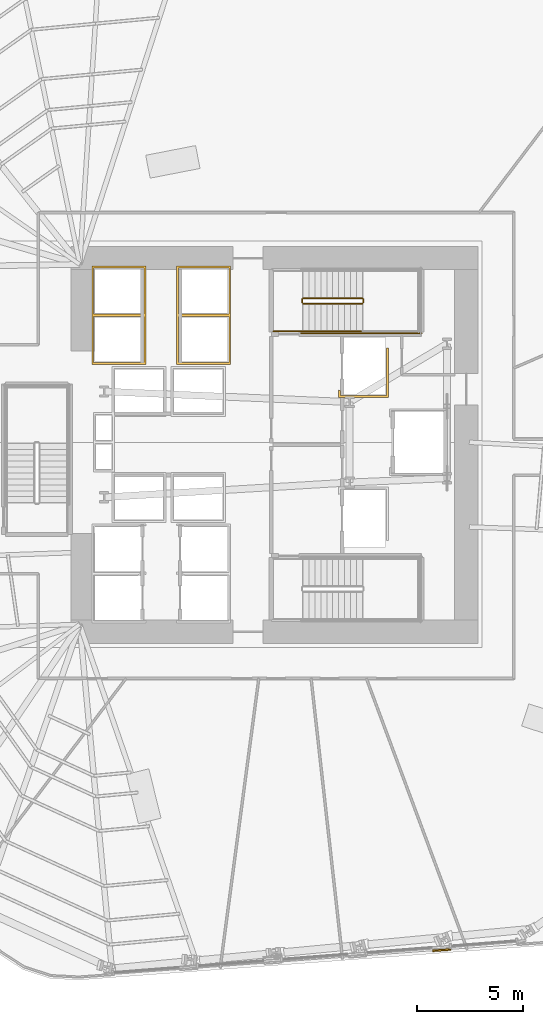
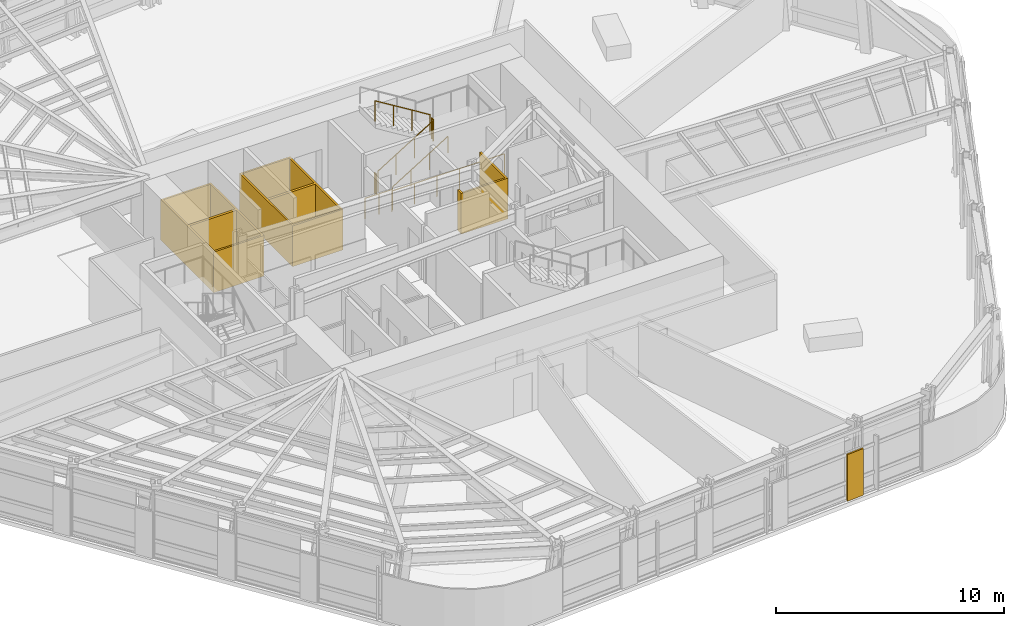
# One storey, part 12 of 15: 7 railings, 4 coverings.
"""IFC4 building model written with IfcOpenShell, lengths in metres."""

from ifc_helpers import new_model, si_unit, direction, frame, origin, origin_2d, place, context, subcontext, project, spatial, polyline, circle, outline, extrude, material, layer, layer_set, type_object, element, save


model = new_model("IFC4")

# Units and contexts
model_context = context("Model", 3, precision=1e-05, world=origin(), true_north=direction((0.0, 1.0)))
body_context = subcontext(model_context, "Body", "Model", "MODEL_VIEW")
ifc_project = project(units=[si_unit("LENGTHUNIT", "METRE"), si_unit("AREAUNIT", "SQUARE_METRE"), si_unit("VOLUMEUNIT", "CUBIC_METRE"), si_unit("PLANEANGLEUNIT", "RADIAN"), si_unit("MASSUNIT", "GRAM", prefix="KILO")], contexts=[model_context])

# Site, building, storey
site_placement = place(None, origin())
site = spatial("IfcSite", under=ifc_project, at=site_placement, CompositionType="ELEMENT")
building_placement = place(site_placement, origin())
building = spatial("IfcBuilding", under=site, at=building_placement, Name="Valkerne Bourse Tower", CompositionType="ELEMENT")
storey_placement = place(building_placement, frame((0.0, 0.0, 43.0)))
storey = spatial("IfcBuildingStorey", under=building, at=storey_placement, Name="L10", CompositionType="ELEMENT", Elevation=43.0)

# Coverings
ifc_material_1 = material(Name="Bronze Anodised Aluminium AA 6063-T6", Category="aluminium")
ifc_layer_1 = layer(ifc_material_1, 0.06005859375)
ifc_layer_set_1 = layer_set([ifc_layer_1], Name="Bronze Anodised Aluminium AA 6063-T6")
covering_type_1 = type_object("IfcCoveringType", Name="COV-CRN-ALUM", PredefinedType="CLADDING", material=ifc_layer_set_1)
covering_1_placement = place(storey_placement, origin())
element("IfcCovering", 1, at=covering_1_placement, inside=storey, type_object=covering_type_1, Name="L10 Wind-Shaped Corner Aluminium Cladding 02", PredefinedType="CLADDING", context=body_context, shape_type="SweptSolid", body=[
    extrude(outline(polyline([(54.28466796875, 2.9423828125), (54.2783203125, 3.022216796875), (55.1162109375, 3.08447265625), (55.122314453125, 3.004638671875), (54.28466796875, 2.9423828125)])), origin(), (0.0, 0.0, 1.0), 2.5),
])
ifc_material_2 = material(Name="Gypsum Shaftwall Liner Board", Category="gypsum")
ifc_layer_2 = layer(ifc_material_2, 0.080078125)
ifc_layer_set_2 = layer_set([ifc_layer_2], Name="Gypsum Shaftwall Liner Board")
covering_type_2 = type_object("IfcCoveringType", Name="COV-SHF-CLAD", PredefinedType="CLADDING", material=ifc_layer_set_2)
covering_2_placement = place(storey_placement, origin())
element("IfcCovering", 2, at=covering_2_placement, inside=storey, type_object=covering_type_2, Name="L10 Hoistway & Riser Shaftwall Liner 05", PredefinedType="CLADDING", context=body_context, shape_type="SweptSolid", body=[
    extrude(outline(polyline([(38.169921875, 35.330078125), (40.72998046875, 35.330078125), (40.72998046875, 33.030029296875), (40.72998046875, 32.969970703125), (40.72998046875, 30.669921875), (38.169921875, 30.669921875), (38.169921875, 32.969970703125), (38.169921875, 33.030029296875), (38.169921875, 35.330078125)]), holes=[polyline([(38.260009765625, 32.93994140625), (38.260009765625, 30.760009765625), (40.639892578125, 30.760009765625), (40.639892578125, 32.93994140625), (38.260009765625, 32.93994140625)]), polyline([(38.260009765625, 35.239990234375), (38.260009765625, 33.06005859375), (40.639892578125, 33.06005859375), (40.639892578125, 35.239990234375), (38.260009765625, 35.239990234375)])]), origin(), (0.0, 0.0, 1.0), 2.179931640625),
])
covering_3_placement = place(storey_placement, origin())
element("IfcCovering", 3, at=covering_3_placement, inside=storey, type_object=covering_type_2, Name="L10 Hoistway & Riser Shaftwall Liner 10", PredefinedType="CLADDING", context=body_context, shape_type="SweptSolid", body=[
    extrude(outline(polyline([(49.820068359375, 29.1201171875), (49.820068359375, 29.468017578125), (49.827880859375, 29.46435546875), (49.869384765625, 29.449462890625), (49.909912109375, 29.439208984375), (49.909912109375, 29.2099609375), (52.090087890625, 29.2099609375), (52.090087890625, 31.449951171875), (52.179931640625, 31.449951171875), (52.179931640625, 29.1201171875), (49.820068359375, 29.1201171875)])), origin(), (0.0, 0.0, 1.0), 2.179931640625),
])
covering_4_placement = place(storey_placement, origin())
element("IfcCovering", 4, at=covering_4_placement, inside=storey, type_object=covering_type_2, Name="L10 Hoistway & Riser Shaftwall Liner 11", PredefinedType="CLADDING", context=body_context, shape_type="SweptSolid", body=[
    extrude(outline(polyline([(44.72998046875, 35.330078125), (44.72998046875, 33.030029296875), (44.72998046875, 32.969970703125), (44.72998046875, 30.669921875), (42.169921875, 30.669921875), (42.169921875, 32.969970703125), (42.169921875, 33.030029296875), (42.169921875, 35.330078125), (44.72998046875, 35.330078125)]), holes=[polyline([(42.260009765625, 30.760009765625), (44.639892578125, 30.760009765625), (44.639892578125, 32.93994140625), (42.260009765625, 32.93994140625), (42.260009765625, 30.760009765625)]), polyline([(42.260009765625, 33.06005859375), (44.639892578125, 33.06005859375), (44.639892578125, 35.239990234375), (42.260009765625, 35.239990234375), (42.260009765625, 33.06005859375)])]), origin(), (0.0, 0.0, 1.0), 2.179931640625),
])

# Railings
ifc_material_3 = material(Name="Galvanised Painted Steel", Category="steel")
railing_type_1 = type_object("IfcRailingType", Name="RLG-ST-GUARD-1120", PredefinedType="GUARDRAIL", material=ifc_material_3)
railing_1_placement = place(storey_placement, frame((48.14990234375, 33.550048828125, 0.172607421875)))
element("IfcRailing", 5, at=railing_1_placement, inside=storey, type_object=railing_type_1, Name="L10 ST-2 stair guard 1", PredefinedType="GUARDRAIL", context=body_context, shape_type="SweptSolid", body=[
    extrude(circle(Radius=0.02392578125, at=origin_2d()), frame((0.0, 0.0, 1.09619140625), z_axis=(0.851089632645, 0.0, 0.525020415988), x_axis=(0.0, 1.0, 0.0)), (0.0, 0.0, 1.0), 3.2900390625),
    extrude(circle(Radius=0.02099609375, at=origin_2d()), origin(), (0.0, 0.0, 1.0), 1.072021484375),
    extrude(circle(Radius=0.02099609375, at=origin_2d()), frame((0.933349609375, 0.0, 0.57568359375)), (0.0, 0.0, 1.0), 1.072021484375),
    extrude(circle(Radius=0.02099609375, at=origin_2d()), frame((1.86669921875, 0.0, 1.151611328125)), (0.0, 0.0, 1.0), 1.072021484375),
    extrude(circle(Radius=0.02099609375, at=origin_2d()), frame((2.800048828125, 0.0, 1.727294921875)), (0.0, 0.0, 1.0), 1.072021484375),
])
railing_2_placement = place(storey_placement, frame((51.0, 33.60009765625, 1.89990234375)))
element("IfcRailing", 6, at=railing_2_placement, inside=storey, type_object=railing_type_1, Name="L10 ST-2 stair guard 2", PredefinedType="GUARDRAIL", context=body_context, shape_type="SweptSolid", body=[
    extrude(circle(Radius=0.02392578125, at=origin_2d()), frame((0.0, 0.0, 1.09619140625), z_axis=(0.0, 1.0, 0.0), x_axis=(-1.0, 0.0, 0.0)), (0.0, 0.0, 1.0), 0.14990234375),
    extrude(circle(Radius=0.02099609375, at=origin_2d()), origin(), (0.0, 0.0, 1.0), 1.072021484375),
    extrude(circle(Radius=0.02099609375, at=origin_2d()), frame((0.0, 0.14990234375, 0.0)), (0.0, 0.0, 1.0), 1.072021484375),
])
railing_3_placement = place(storey_placement, frame((50.949951171875, 33.800048828125, 2.07275390625)))
element("IfcRailing", 7, at=railing_3_placement, inside=storey, type_object=railing_type_1, Name="L10 ST-2 stair guard 6", PredefinedType="GUARDRAIL", context=body_context, shape_type="SweptSolid", body=[
    extrude(circle(Radius=0.02392578125, at=origin_2d()), frame((0.0, 0.0, 1.09619140625), z_axis=(-0.851089632645, 0.0, 0.525020415988), x_axis=(0.0, -1.0, 0.0)), (0.0, 0.0, 1.0), 3.2900390625),
    extrude(circle(Radius=0.02099609375, at=origin_2d()), origin(), (0.0, 0.0, 1.0), 1.072021484375),
    extrude(circle(Radius=0.02099609375, at=origin_2d()), frame((-0.933349609375, 0.0, 0.57568359375)), (0.0, 0.0, 1.0), 1.072021484375),
    extrude(circle(Radius=0.02099609375, at=origin_2d()), frame((-1.86669921875, 0.0, 1.151611328125)), (0.0, 0.0, 1.0), 1.072021484375),
    extrude(circle(Radius=0.02099609375, at=origin_2d()), frame((-2.800048828125, 0.0, 1.727294921875)), (0.0, 0.0, 1.0), 1.072021484375),
])
railing_4_placement = place(storey_placement, frame((48.10009765625, 33.60009765625, 0.0)))
element("IfcRailing", 8, at=railing_4_placement, inside=storey, type_object=railing_type_1, Name="L10 ST-2 stair guard 7", PredefinedType="GUARDRAIL", context=body_context, shape_type="SweptSolid", body=[
    extrude(circle(Radius=0.02392578125, at=origin_2d()), frame((0.0, 0.0, 1.09619140625), z_axis=(0.0, 1.0, 0.0), x_axis=(-1.0, 0.0, 0.0)), (0.0, 0.0, 1.0), 0.14990234375),
    extrude(circle(Radius=0.02099609375, at=origin_2d()), origin(), (0.0, 0.0, 1.0), 1.072021484375),
    extrude(circle(Radius=0.02099609375, at=origin_2d()), frame((0.0, 0.14990234375, 0.0)), (0.0, 0.0, 1.0), 1.072021484375),
])
railing_5_placement = place(storey_placement, frame((46.75, 32.25, 0.0)))
element("IfcRailing", 9, at=railing_5_placement, inside=storey, type_object=railing_type_1, Name="L10 ST-2 stair guard 8", PredefinedType="GUARDRAIL", context=body_context, shape_type="SweptSolid", body=[
    extrude(circle(Radius=0.02392578125, at=origin_2d()), frame((0.0, 0.0, 1.09619140625), z_axis=(1.0, 0.0, 0.0), x_axis=(0.0, 1.0, 0.0)), (0.0, 0.0, 1.0), 1.39990234375),
    extrude(circle(Radius=0.02099609375, at=origin_2d()), origin(), (0.0, 0.0, 1.0), 1.072021484375),
    extrude(circle(Radius=0.02099609375, at=origin_2d()), frame((0.699951171875, 0.0, 0.0)), (0.0, 0.0, 1.0), 1.072021484375),
    extrude(circle(Radius=0.02099609375, at=origin_2d()), frame((1.39990234375, 0.0, 0.0)), (0.0, 0.0, 1.0), 1.072021484375),
])
railing_6_placement = place(storey_placement, frame((48.050048828125, 32.14990234375, 0.0)))
element("IfcRailing", 10, at=railing_6_placement, inside=storey, type_object=railing_type_1, Name="L10 ST-2 stair guard 10", PredefinedType="GUARDRAIL", context=body_context, shape_type="SweptSolid", body=[
    extrude(circle(Radius=0.02392578125, at=origin_2d()), frame((0.0, 0.0, 1.09619140625), z_axis=(1.0, 0.0, 0.0), x_axis=(0.0, 1.0, 0.0)), (0.0, 0.0, 1.0), 5.699951171875),
    extrude(circle(Radius=0.02099609375, at=origin_2d()), origin(), (0.0, 0.0, 1.0), 1.072021484375),
    extrude(circle(Radius=0.02099609375, at=origin_2d()), frame((1.139892578125, 0.0, 0.0)), (0.0, 0.0, 1.0), 1.072021484375),
    extrude(circle(Radius=0.02099609375, at=origin_2d()), frame((2.280029296875, 0.0, 0.0)), (0.0, 0.0, 1.0), 1.072021484375),
    extrude(circle(Radius=0.02099609375, at=origin_2d()), frame((3.419921875, 0.0, 0.0)), (0.0, 0.0, 1.0), 1.072021484375),
    extrude(circle(Radius=0.02099609375, at=origin_2d()), frame((4.56005859375, 0.0, 0.0)), (0.0, 0.0, 1.0), 1.072021484375),
    extrude(circle(Radius=0.02099609375, at=origin_2d()), frame((5.699951171875, 0.0, 0.0)), (0.0, 0.0, 1.0), 1.072021484375),
])
ifc_material_4 = material(Name="Stainless Steel AISI 316", Category="steel")
railing_type_2 = type_object("IfcRailingType", Name="RLG-ST-HANDRAIL-900", PredefinedType="HANDRAIL", material=ifc_material_4)
railing_7_placement = place(storey_placement, frame((48.14990234375, 32.25, 0.345458984375)))
element("IfcRailing", 11, at=railing_7_placement, inside=storey, type_object=railing_type_2, Name="L10 ST-2 stair handrail 1", PredefinedType="HANDRAIL", context=body_context, shape_type="SweptSolid", body=[
    extrude(circle(Radius=0.02392578125, at=origin_2d()), frame((0.0, 0.0, 0.8759765625), z_axis=(0.851089632645, 0.0, 0.525020415988), x_axis=(0.0, 1.0, 0.0)), (0.0, 0.0, 1.0), 3.2900390625),
    extrude(circle(Radius=0.02099609375, at=origin_2d()), origin(), (0.0, 0.0, 1.0), 0.851806640625),
    extrude(circle(Radius=0.02099609375, at=origin_2d()), frame((0.933349609375, 0.0, 0.57568359375)), (0.0, 0.0, 1.0), 0.851806640625),
    extrude(circle(Radius=0.02099609375, at=origin_2d()), frame((1.86669921875, 0.0, 1.151611328125)), (0.0, 0.0, 1.0), 0.851806640625),
    extrude(circle(Radius=0.02099609375, at=origin_2d()), frame((2.800048828125, 0.0, 1.727294921875)), (0.0, 0.0, 1.0), 0.851806640625),
])

save(model, "model.ifc")
